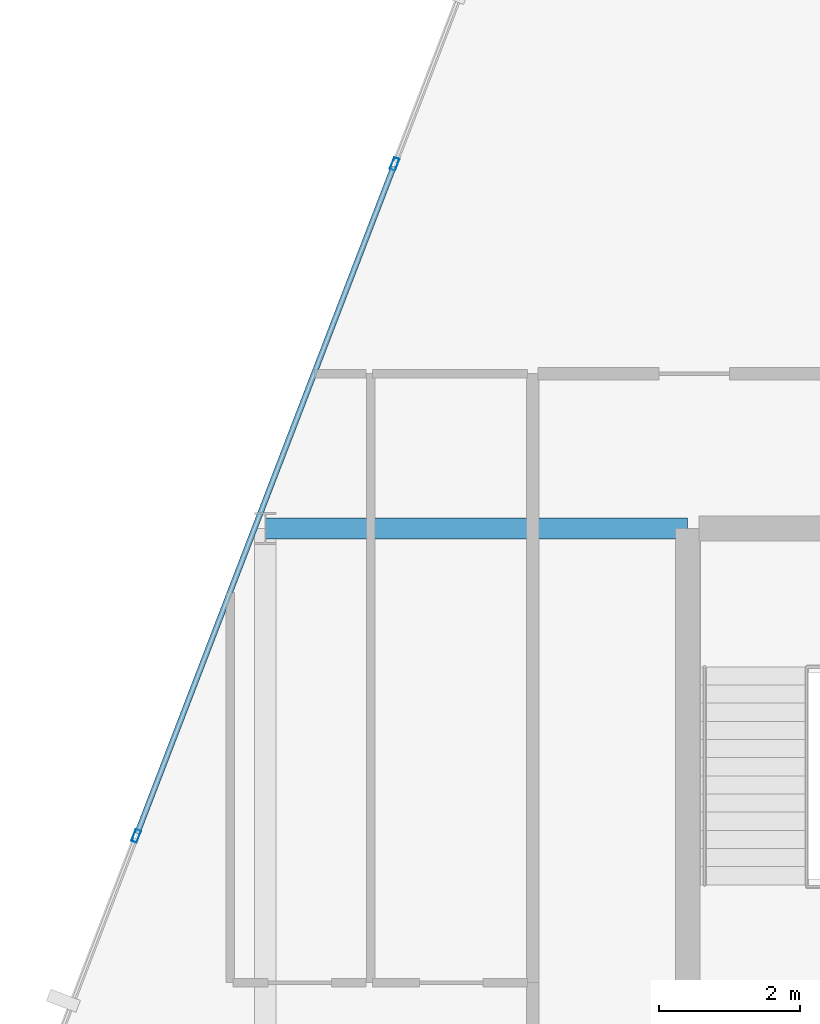
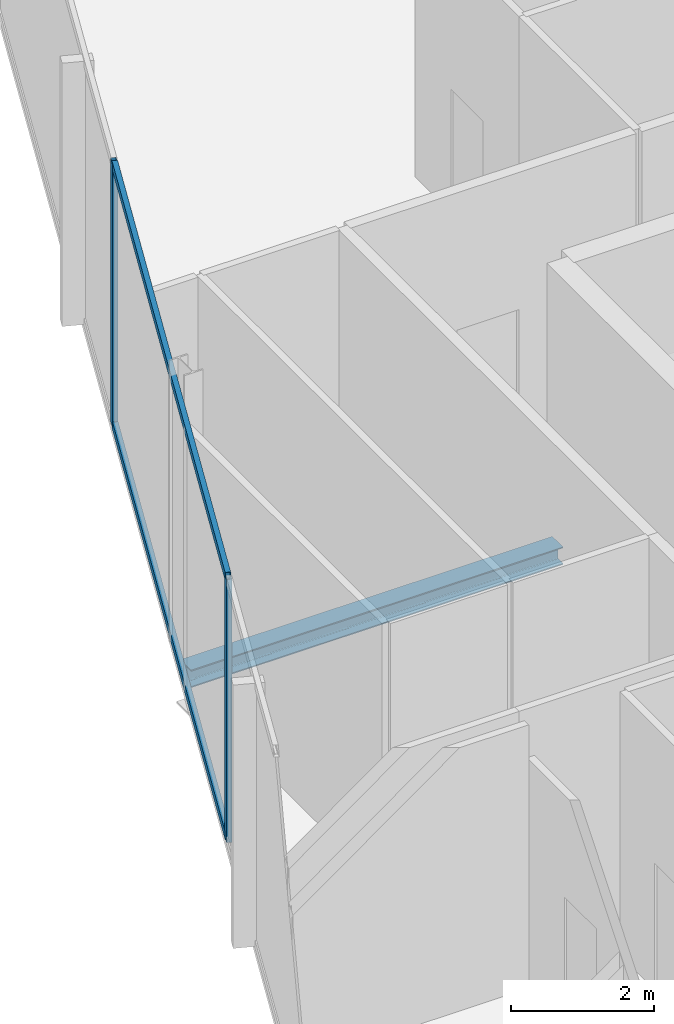
# One storey, part 16 of 29: 4 members, 1 beam, 1 element without a shape of its own.
"""IFC4 building model written with IfcOpenShell, lengths in metres."""

import ifcopenshell
import ifcopenshell.guid

model = None  # the IFC model being written
_history = None  # IfcOwnerHistory: only IFC2X3 demands one
_inside = {}  # id of a spatial element -> (the spatial element, [elements in it])
_under = {}  # id of a project, library or spatial element -> (it, [spatial elements below it])
_declared = {}  # id of a project -> (the project, [libraries it declares])
_typed = {}  # id of a type object -> (the type object, [elements of that type])
_made_of = {}  # id of a material, layer set ... -> (it, [elements and type objects made of it])


def new_model(schema):
    """Start an empty IFC model of exactly this schema.

    Asked for "IFC4X3", IfcOpenShell would pick the latest addendum, in which some entities
    have other attributes; the version numbers below select the first issue.
    IFC2X3 requires an IfcOwnerHistory on every rooted entity: one is made here for all.
    """
    global model, _history
    if schema == "IFC4X3":
        model = ifcopenshell.file(schema_version=(4, 3, 0, 0))
    else:
        model = ifcopenshell.file(schema=schema)
    _inside.clear()
    _under.clear()
    _declared.clear()
    _typed.clear()
    _made_of.clear()
    _history = None
    if model.schema == "IFC2X3":
        org = make("IfcOrganization", Name="unknown")
        user = make(
            "IfcPersonAndOrganization",
            ThePerson=make("IfcPerson", FamilyName="unknown"),
            TheOrganization=org,
        )
        app = make(
            "IfcApplication",
            ApplicationDeveloper=org,
            Version="unknown",
            ApplicationFullName="unknown",
            ApplicationIdentifier="unknown",
        )
        _history = make(
            "IfcOwnerHistory",
            OwningUser=user,
            OwningApplication=app,
            ChangeAction="ADDED",
            CreationDate=0,
        )
    return model


def make(cls, **values):
    """One entity of the class cls with the attributes given. An attribute that is None is left unset."""
    return model.create_entity(
        cls, **{name: value for name, value in values.items() if value is not None}
    )


def rooted(cls, **values):
    """An entity with a GlobalId (a new one), such as an element, a storey or a relation."""
    return make(cls, GlobalId=ifcopenshell.guid.new(), OwnerHistory=_history, **values)


def si_unit(unit_type, name, prefix=None):
    """IfcSIUnit, for example si_unit("LENGTHUNIT", "METRE", prefix="MILLI")."""
    return make("IfcSIUnit", UnitType=unit_type, Prefix=prefix, Name=name)


def assignment(units):
    """IfcUnitAssignment: the units of a project."""
    return None if units is None else make("IfcUnitAssignment", Units=units)


def point(xyz):
    """IfcCartesianPoint."""
    return None if xyz is None else make("IfcCartesianPoint", Coordinates=xyz)


def direction(xyz):
    """IfcDirection."""
    return None if xyz is None else make("IfcDirection", DirectionRatios=xyz)


def frame(location, z_axis=None, x_axis=None):
    """IfcAxis2Placement3D, a coordinate frame: its origin and axes. An axis left out is left unset."""
    return make(
        "IfcAxis2Placement3D",
        Location=point(location),
        Axis=direction(z_axis),
        RefDirection=direction(x_axis),
    )


def frame_2d(location, x_axis=None):
    """IfcAxis2Placement2D, a coordinate frame in the plane: its origin and x axis."""
    return make(
        "IfcAxis2Placement2D", Location=point(location), RefDirection=direction(x_axis)
    )


def origin():
    """The frame at (0, 0, 0) with its axes left unset."""
    return frame((0.0, 0.0, 0.0))


def origin_2d():
    """The frame at (0, 0) in the plane with its x axis left unset."""
    return frame_2d((0.0, 0.0))


def place(relative_to, where):
    """IfcLocalPlacement: puts the frame where relative to a parent placement (None: the world)."""
    return make(
        "IfcLocalPlacement", PlacementRelTo=relative_to, RelativePlacement=where
    )


def context(
    kind, dimensions, precision=None, world=None, true_north=None, identifier=None
):
    """IfcGeometricRepresentationContext, for example the 3D "Model" context."""
    return make(
        "IfcGeometricRepresentationContext",
        ContextIdentifier=identifier,
        ContextType=kind,
        CoordinateSpaceDimension=dimensions,
        Precision=precision,
        WorldCoordinateSystem=world,
        TrueNorth=true_north,
    )


def subcontext(parent, identifier, kind, view, scale=None):
    """IfcGeometricRepresentationSubContext, for example "Body" below "Model"."""
    return make(
        "IfcGeometricRepresentationSubContext",
        ContextIdentifier=identifier,
        ContextType=kind,
        ParentContext=parent,
        TargetScale=scale,
        TargetView=view,
    )


def project(units=None, contexts=None):
    """IfcProject with its units and contexts."""
    return rooted(
        "IfcProject",
        Name="project",
        RepresentationContexts=contexts,
        UnitsInContext=assignment(units),
    )


def spatial(cls, under=None, at=None, **own):
    """A site, building, storey or space (cls), placed at a placement, below another one or the project."""
    s = rooted(cls, ObjectPlacement=at, **own)
    if under is not None:
        _under.setdefault(under.id(), (under, []))[1].append(s)
    return s


def profile(cls, at=None, kind="AREA", **sizes):
    """A parametric profile (cls). Its sizes go by their IFC names, for example OverallWidth=200.0."""
    return make(cls, ProfileType=kind, Position=at, **sizes)


def hollow_rectangle(**sizes):
    """IfcRectangleHollowProfileDef."""
    return profile("IfcRectangleHollowProfileDef", **sizes)


def i_section(**sizes):
    """IfcIShapeProfileDef."""
    return profile("IfcIShapeProfileDef", **sizes)


def extrude(swept, where, along, depth):
    """IfcExtrudedAreaSolid: the profile swept, set in the frame where, extruded along a direction by depth."""
    return make(
        "IfcExtrudedAreaSolid",
        SweptArea=swept,
        Position=where,
        ExtrudedDirection=direction(along),
        Depth=depth,
    )


def shape(context_of_items, identifier, shape_type, items):
    """IfcShapeRepresentation: the items that make up one representation, for example the "Body"."""
    return make(
        "IfcShapeRepresentation",
        ContextOfItems=context_of_items,
        RepresentationIdentifier=identifier,
        RepresentationType=shape_type,
        Items=items,
    )


def material(Name=None, Category=None):
    """IfcMaterial."""
    return make("IfcMaterial", Name=Name, Category=Category)


def layer(
    of_material, thickness, ventilated=None, Name=None, Category=None, Priority=None
):
    """IfcMaterialLayer: one layer of a wall or slab, of a material (None: an air gap)."""
    return make(
        "IfcMaterialLayer",
        Material=of_material,
        LayerThickness=thickness,
        IsVentilated=ventilated,
        Name=Name,
        Category=Category,
        Priority=Priority,
    )


def layer_set(layers, Name=None):
    """IfcMaterialLayerSet."""
    return make("IfcMaterialLayerSet", MaterialLayers=layers, LayerSetName=Name)


def material_profile(
    of_material, cross_section, Name=None, Category=None, Priority=None
):
    """IfcMaterialProfile: a cross section and its material."""
    return make(
        "IfcMaterialProfile",
        Name=Name,
        Material=of_material,
        Profile=cross_section,
        Priority=Priority,
        Category=Category,
    )


def profile_set(profiles, Name=None, composite=None):
    """IfcMaterialProfileSet."""
    return make(
        "IfcMaterialProfileSet",
        Name=Name,
        MaterialProfiles=profiles,
        CompositeProfile=composite,
    )


def made_of(thing, what):
    """Note that an element or type object is made of a material, layer set ...; save() writes the relation."""
    if what is not None:
        _made_of.setdefault(what.id(), (what, []))[1].append(thing)
    return thing


def type_object(cls, material=None, **own):
    """A type object (cls), such as IfcWallType, which elements share."""
    return made_of(rooted(cls, **own), material)


def element(
    cls,
    number,
    at=None,
    inside=None,
    cuts=None,
    type_object=None,
    material=None,
    context=None,
    identifier="Body",
    shape_type=None,
    held_by="IfcProductDefinitionShape",
    body=None,
    shapes=None,
    **own,
):
    """One element of the class cls, such as IfcWall. Its Tag is "e" and its number.

    at: its placement. inside: the storey or other place that contains it. cuts: it is an
    opening in that element (IfcRelVoidsElement). A single representation is given by context,
    identifier, shape_type and body (its items); several are given by shapes. held_by: the class
    of the entity that holds the representations. save() writes the other relations.
    """
    e = rooted(cls, Tag="e%d" % number, ObjectPlacement=at, **own)
    if body is not None:
        shapes = [shape(context, identifier, shape_type, body)]
    if shapes is not None:
        e.Representation = make(held_by, Representations=shapes)
    if inside is not None:
        _inside.setdefault(inside.id(), (inside, []))[1].append(e)
    if cuts is not None:
        rooted(
            "IfcRelVoidsElement", RelatingBuildingElement=cuts, RelatedOpeningElement=e
        )
    if type_object is not None:
        _typed.setdefault(type_object.id(), (type_object, []))[1].append(e)
    return made_of(e, material)


def aggregate(whole, parts):
    """IfcRelAggregates: a whole, such as a stair, and the parts it consists of."""
    return rooted("IfcRelAggregates", RelatingObject=whole, RelatedObjects=parts)


def save(model, path):
    """Write the relations noted so far, then the file.

    IfcRelAggregates (storeys below a building ...), IfcRelContainedInSpatialStructure (elements
    in a storey), IfcRelDefinesByType, IfcRelAssociatesMaterial and IfcRelDeclares: one each for
    every whole, place, type object, material and project.
    """
    for whole, parts in _under.values():
        aggregate(whole, parts)
    for where, things in _inside.values():
        rooted(
            "IfcRelContainedInSpatialStructure",
            RelatedElements=things,
            RelatingStructure=where,
        )
    for kind, things in _typed.values():
        rooted("IfcRelDefinesByType", RelatedObjects=things, RelatingType=kind)
    for what, things in _made_of.values():
        rooted("IfcRelAssociatesMaterial", RelatedObjects=things, RelatingMaterial=what)
    for by, libraries in _declared.values():
        rooted("IfcRelDeclares", RelatingContext=by, RelatedDefinitions=libraries)
    model.write(path)


model = new_model("IFC4")

# Units and contexts
model_context = context("Model", 3, precision=1e-05, world=origin(), true_north=direction((0.0, 1.0)))
body_context = subcontext(model_context, "Body", "Model", "MODEL_VIEW")
ifc_project = project(units=[si_unit("LENGTHUNIT", "METRE"), si_unit("AREAUNIT", "SQUARE_METRE"), si_unit("VOLUMEUNIT", "CUBIC_METRE"), si_unit("PLANEANGLEUNIT", "RADIAN"), si_unit("MASSUNIT", "GRAM", prefix="KILO")], contexts=[model_context])

# Site, building, storey
site_placement = place(None, origin())
site = spatial("IfcSite", under=ifc_project, at=site_placement, CompositionType="ELEMENT")
building_placement = place(site_placement, origin())
building = spatial("IfcBuilding", under=site, at=building_placement, Name="Keshet Zoharim Tower", CompositionType="ELEMENT")
storey_placement = place(building_placement, frame((0.0, 0.0, 218.0)))
storey = spatial("IfcBuildingStorey", under=building, at=storey_placement, Name="L54", CompositionType="ELEMENT", Elevation=218.0)

# Beam
ifc_material_1 = material(Name="Steel S355", Category="steel")
ifc_material_profile_1 = material_profile(ifc_material_1, i_section(OverallWidth=0.300048828125, OverallDepth=0.300048828125, WebThickness=0.010986328125, FlangeThickness=0.01904296875, FilletRadius=0.027099609375, at=origin_2d()), Name="HEB300")
ifc_profile_set_1 = profile_set([ifc_material_profile_1], Name="Steel S355")
beam_type = type_object("IfcBeamType", Name="BM-PRI-HB300", PredefinedType="BEAM", material=ifc_profile_set_1)
beam_placement = place(storey_placement, frame((9.0, 37.89990234375, -0.469970703125), z_axis=(1.0, 0.0, 0.0), x_axis=(0.0, 1.0, 0.0)))
element("IfcBeam", 1, at=beam_placement, inside=storey, type_object=beam_type, Name="L54 Primary Girder X-017", PredefinedType="BEAM", context=body_context, shape_type="SweptSolid", body=[
    extrude(i_section(OverallWidth=0.300048828125, OverallDepth=0.300048828125, WebThickness=0.010986328125, FlangeThickness=0.01904296875, FilletRadius=0.027099609375, at=origin_2d()), origin(), (0.0, 0.0, 1.0), 6.0),
])

# Curtain wall, members
ifc_material_2 = material(Name="Aluminium 6063-T6", Category="aluminium")
ifc_layer = layer(ifc_material_2, 0.14990234375)
ifc_layer_set = layer_set([ifc_layer], Name="Aluminium 6063-T6")
curtain_wall_type = type_object("IfcCurtainWallType", Name="CW-SYS-04", PredefinedType="NOTDEFINED", material=ifc_layer_set)
curtain_wall_placement = place(storey_placement, origin())
curtain_wall = element("IfcCurtainWall", 2, at=curtain_wall_placement, inside=storey, type_object=curtain_wall_type, Name="L54 Unitised Curtain Wall 13", PredefinedType="NOTDEFINED")
ifc_material_profile_2 = material_profile(ifc_material_2, hollow_rectangle(XDim=0.080078125, YDim=0.179931640625, WallThickness=0.00439453125, at=origin_2d()), Name="MUL-80x180")
ifc_profile_set_2 = profile_set([ifc_material_profile_2], Name="Aluminium 6063-T6")
member_type_1 = type_object("IfcMemberType", Name="CWM-M18", PredefinedType="MULLION", material=ifc_profile_set_2)
member_1_placement = place(storey_placement, frame((7.1669921875, 33.53466796875, 0.0), z_axis=(0.0, 0.0, 1.0), x_axis=(-0.933341404361, 0.358990003907, 0.0)))
member_1 = element("IfcMember", 3, at=member_1_placement, type_object=member_type_1, Name="CW-04 mullion 2", PredefinedType="MULLION", context=body_context, shape_type="SweptSolid", body=[
    extrude(hollow_rectangle(XDim=0.080078125, YDim=0.179931640625, WallThickness=0.00439453125, at=origin_2d()), origin(), (0.0, 0.0, 1.0), 4.489990234375),
])
member_2_placement = place(storey_placement, frame((10.8369140625, 43.076416015625, 0.0), z_axis=(0.0, 0.0, 1.0), x_axis=(-0.933341404361, 0.358990003907, 0.0)))
member_2 = element("IfcMember", 4, at=member_2_placement, type_object=member_type_1, Name="CW-04 mullion 3", PredefinedType="MULLION", context=body_context, shape_type="SweptSolid", body=[
    extrude(hollow_rectangle(XDim=0.080078125, YDim=0.179931640625, WallThickness=0.00439453125, at=origin_2d()), origin(), (0.0, 0.0, 1.0), 4.489990234375),
])
ifc_material_profile_3 = material_profile(ifc_material_2, hollow_rectangle(XDim=0.080078125, YDim=0.139892578125, WallThickness=0.00390625, at=origin_2d()), Name="TRN-80x140")
ifc_profile_set_3 = profile_set([ifc_material_profile_3], Name="Aluminium 6063-T6")
member_type_2 = type_object("IfcMemberType", Name="CWT-T14", PredefinedType="USERDEFINED", material=ifc_profile_set_3)
member_3_placement = place(storey_placement, frame((7.179443359375, 33.5673828125, 0.034912109375), z_axis=(0.359003248899, 0.933336309848, 0.0), x_axis=(-0.933336309848, 0.359003248899, 0.0)))
member_3 = element("IfcMember", 5, at=member_3_placement, type_object=member_type_2, Name="CW-04 transom 2.1", ObjectType="TRANSOM", PredefinedType="USERDEFINED", context=body_context, shape_type="SweptSolid", body=[
    extrude(hollow_rectangle(XDim=0.080078125, YDim=0.139892578125, WallThickness=0.00390625, at=origin_2d()), origin(), (0.0, 0.0, 1.0), 10.153076171875),
])
member_4_placement = place(storey_placement, frame((7.179443359375, 33.5673828125, 4.455078125), z_axis=(0.359003248899, 0.933336309848, 0.0), x_axis=(-0.933336309848, 0.359003248899, 0.0)))
member_4 = element("IfcMember", 6, at=member_4_placement, type_object=member_type_2, Name="CW-04 transom 2.2", ObjectType="TRANSOM", PredefinedType="USERDEFINED", context=body_context, shape_type="SweptSolid", body=[
    extrude(hollow_rectangle(XDim=0.080078125, YDim=0.139892578125, WallThickness=0.00390625, at=origin_2d()), origin(), (0.0, 0.0, 1.0), 10.153076171875),
])
aggregate(curtain_wall, [member_1, member_2, member_3, member_4])

save(model, "model.ifc")
